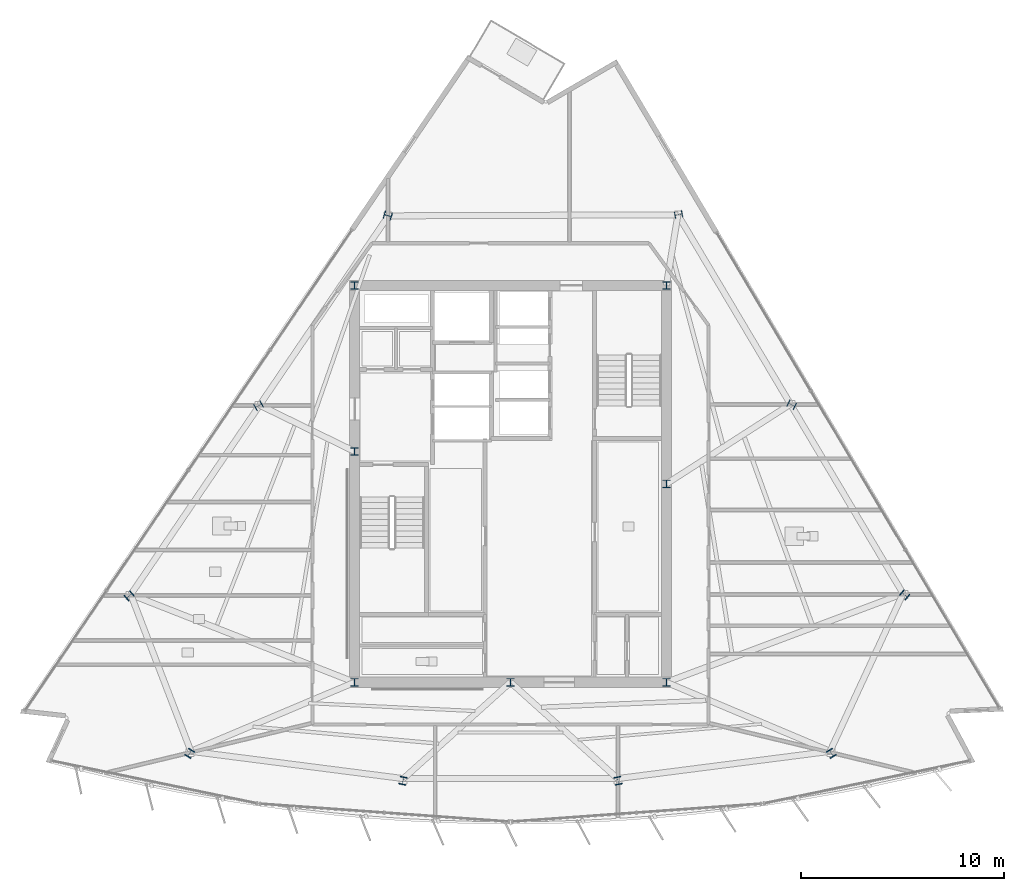
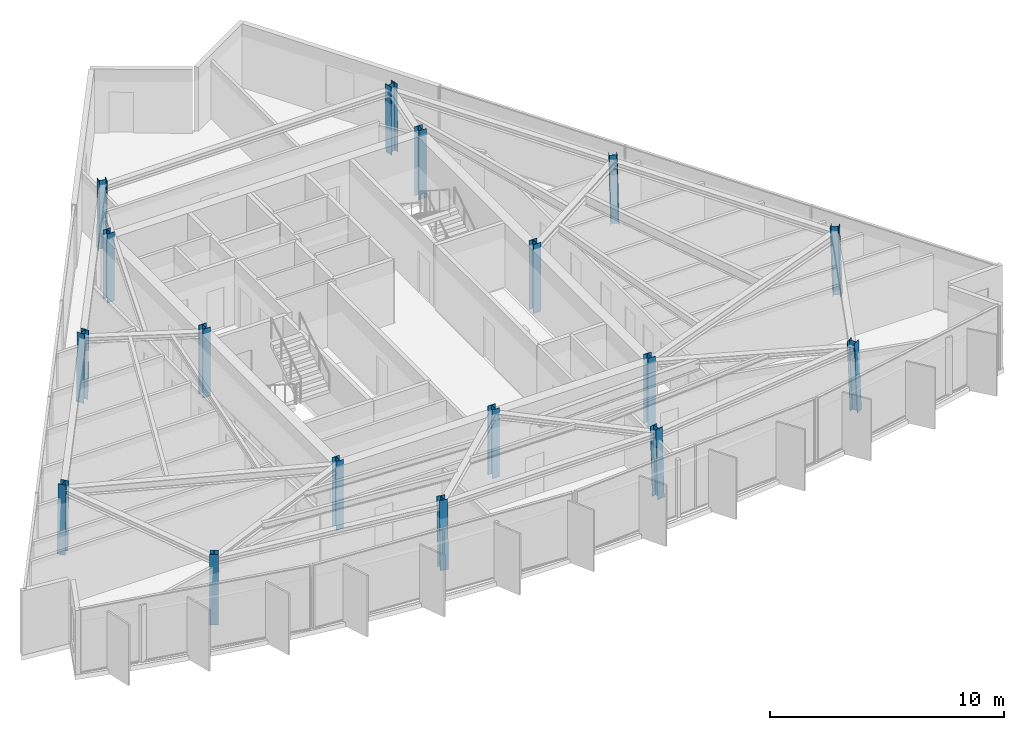
# One storey, part 1 of 13: 17 columns.
"""IFC4 building model written with IfcOpenShell, lengths in metres."""

from ifc_helpers import new_model, si_unit, direction, frame, origin, origin_2d, place, context, subcontext, project, spatial, i_section, extrude, material, material_profile, profile_set, type_object, element, save


model = new_model("IFC4")

# Units and contexts
model_context = context("Model", 3, precision=1e-05, world=origin(), true_north=direction((0.0, 1.0)))
body_context = subcontext(model_context, "Body", "Model", "MODEL_VIEW")
ifc_project = project(units=[si_unit("LENGTHUNIT", "METRE"), si_unit("AREAUNIT", "SQUARE_METRE"), si_unit("VOLUMEUNIT", "CUBIC_METRE"), si_unit("PLANEANGLEUNIT", "RADIAN"), si_unit("MASSUNIT", "GRAM", prefix="KILO")], contexts=[model_context])

# Site, building, storey
site_placement = place(None, origin())
site = spatial("IfcSite", under=ifc_project, at=site_placement, CompositionType="ELEMENT")
building_placement = place(site_placement, origin())
building = spatial("IfcBuilding", under=site, at=building_placement, Name="Savorim Split Tower", CompositionType="ELEMENT")
storey_placement = place(building_placement, frame((0.0, 0.0, 254.39990234375)))
storey = spatial("IfcBuildingStorey", under=building, at=storey_placement, Name="L67", CompositionType="ELEMENT", Elevation=254.39990234375)

# Columns
ifc_material = material(Name="Steel S355", Category="steel")
ifc_material_profile = material_profile(ifc_material, i_section(OverallWidth=0.3740234375, OverallDepth=0.3720703125, WebThickness=0.01220703125, FlangeThickness=0.02001953125, FilletRadius=0.014892578125, at=origin_2d()), Name="HD 360x196")
ifc_profile_set = profile_set([ifc_material_profile], Name="Steel S355")
column_type = type_object("IfcColumnType", Name="COL-HD-196", PredefinedType="COLUMN", material=ifc_profile_set)
for number, where, z_axis, x_axis, name in (
    (1, (-7.699951171875, -9.39990234375, 0.0), (0.0, 0.0, 1.0), (1.0, 0.0, 0.0), "L67 Core Structural Column TC-C1"),
    (2, (7.699951171875, -9.39990234375, 0.0), (0.0, 0.0, 1.0), (1.0, 0.0, 0.0), "L67 Core Structural Column TC-C2"),
    (3, (7.699951171875, 10.199951171875, 0.0), (0.0, 0.0, 1.0), (1.0, 0.0, 0.0), "L67 Core Structural Column TC-C3"),
    (4, (-7.699951171875, 10.199951171875, 0.0), (0.0, 0.0, 1.0), (1.0, 0.0, 0.0), "L67 Core Structural Column TC-C4"),
    (5, (0.0, -9.39990234375, 0.0), (0.0, 0.0, 1.0), (1.0, 0.0, 0.0), "L67 Core Structural Column TC-C5"),
    (6, (7.699951171875, 0.39990234375, 0.0), (0.0, 0.0, 1.0), (1.0, 0.0, 0.0), "L67 Core Structural Column TC-C6"),
    (7, (-7.699951171875, 2.0, 0.0), (0.0, 0.0, 1.0), (1.0, 0.0, 0.0), "L67 Core Structural Column TC-C7"),
):
    element("IfcColumn", number, at=place(storey_placement, frame(where, z_axis=z_axis, x_axis=x_axis)), inside=storey, type_object=column_type, Name=name, PredefinedType="COLUMN", context=body_context, shape_type="SweptSolid", body=[
        extrude(i_section(OverallWidth=0.3740234375, OverallDepth=0.3720703125, WebThickness=0.01220703125, FlangeThickness=0.02001953125, FilletRadius=0.014892578125, at=origin_2d()), origin(), (0.0, 0.0, 1.0), 3.60009765625),
    ])
column_1_placement = place(storey_placement, frame((-15.853515625, -12.928466796875, 0.005615234375), z_axis=(0.020596292833, 0.033511459955, 0.999226087917), x_axis=(-0.851954850327, 0.523615252838, 0.0)))
element("IfcColumn", 8, at=column_1_placement, inside=storey, type_object=column_type, Name="L67 Tapered Perimeter Column PC-S1", PredefinedType="COLUMN", context=body_context, shape_type="SweptSolid", body=[
    extrude(i_section(OverallWidth=0.3740234375, OverallDepth=0.3720703125, WebThickness=0.01220703125, FlangeThickness=0.02001953125, FilletRadius=0.014892578125, at=origin_2d()), origin(), (0.0, 0.0, 1.0), 3.591552734375),
])
for number, where, z_axis, x_axis, name in (
    (9, (-5.3134765625, -14.28173828125, 0.005615234375), (0.006934288159, 0.035283289748, 0.999353293441), (-0.981229659911, 0.192842823335, 0.0), "L67 Tapered Perimeter Column PC-S2"),
    (10, (5.3134765625, -14.28173828125, 0.005615234375), (-0.006934288159, 0.035283289748, 0.999353293441), (-0.981229659911, -0.192842823335, 0.0), "L67 Tapered Perimeter Column PC-S3"),
):
    element("IfcColumn", number, at=place(storey_placement, frame(where, z_axis=z_axis, x_axis=x_axis)), inside=storey, type_object=column_type, Name=name, PredefinedType="COLUMN", context=body_context, shape_type="SweptSolid", body=[
        extrude(i_section(OverallWidth=0.3740234375, OverallDepth=0.3720703125, WebThickness=0.01220703125, FlangeThickness=0.02001953125, FilletRadius=0.014892578125, at=origin_2d()), origin(), (0.0, 0.0, 1.0), 3.59130859375),
    ])
column_2_placement = place(storey_placement, frame((15.853515625, -12.928466796875, 0.005615234375), z_axis=(-0.020596292833, 0.033511459955, 0.999226087917), x_axis=(-0.851954850327, -0.523615252838, 0.0)))
element("IfcColumn", 11, at=column_2_placement, inside=storey, type_object=column_type, Name="L67 Tapered Perimeter Column PC-S4", PredefinedType="COLUMN", context=body_context, shape_type="SweptSolid", body=[
    extrude(i_section(OverallWidth=0.3740234375, OverallDepth=0.3720703125, WebThickness=0.01220703125, FlangeThickness=0.02001953125, FilletRadius=0.014892578125, at=origin_2d()), origin(), (0.0, 0.0, 1.0), 3.591552734375),
])
column_3_placement = place(storey_placement, frame((19.47900390625, -5.095947265625, 0.005615234375), z_axis=(-0.026107436898, 0.021620221181, 0.999425318758), x_axis=(-0.637813971185, -0.770190455771, 0.0)))
element("IfcColumn", 12, at=column_3_placement, inside=storey, type_object=column_type, Name="L67 Tapered Perimeter Column PC-E1", PredefinedType="COLUMN", context=body_context, shape_type="SweptSolid", body=[
    extrude(i_section(OverallWidth=0.3740234375, OverallDepth=0.3720703125, WebThickness=0.01220703125, FlangeThickness=0.02001953125, FilletRadius=0.014892578125, at=origin_2d()), origin(), (0.0, 0.0, 1.0), 3.5908203125),
])
column_4_placement = place(storey_placement, frame((13.893310546875, 4.298095703125, 0.005615234375), z_axis=(-0.01897531407, 0.009521662974, 0.999774612295), x_axis=(-0.44849454954, -0.893785566583, 0.0)))
element("IfcColumn", 13, at=column_4_placement, inside=storey, type_object=column_type, Name="L67 Tapered Perimeter Column PC-E2", PredefinedType="COLUMN", context=body_context, shape_type="SweptSolid", body=[
    extrude(i_section(OverallWidth=0.3740234375, OverallDepth=0.3720703125, WebThickness=0.01220703125, FlangeThickness=0.02001953125, FilletRadius=0.014892578125, at=origin_2d()), origin(), (0.0, 0.0, 1.0), 3.589599609375),
])
for number, where, z_axis, x_axis, name in (
    (14, (8.3076171875, 13.69189453125, 0.005615234375), (-0.011767853257, -0.00258484638, 0.999927415465), (0.214538664031, -0.976715496773, 0.0), "L67 Tapered Perimeter Column PC-E3"),
    (15, (-6.05859375, 13.64306640625, 0.005615234375), (0.008775143007, -0.002584925847, 0.999958156636), (0.282568886397, 0.959247009086, 0.0), "L67 Tapered Perimeter Column PC-W1"),
):
    element("IfcColumn", number, at=place(storey_placement, frame(where, z_axis=z_axis, x_axis=x_axis)), inside=storey, type_object=column_type, Name=name, PredefinedType="COLUMN", context=body_context, shape_type="SweptSolid", body=[
        extrude(i_section(OverallWidth=0.3740234375, OverallDepth=0.3720703125, WebThickness=0.01220703125, FlangeThickness=0.02001953125, FilletRadius=0.014892578125, at=origin_2d()), origin(), (0.0, 0.0, 1.0), 3.589111328125),
    ])
column_5_placement = place(storey_placement, frame((-12.44921875, 4.2490234375, 0.005615234375), z_axis=(0.017071556321, 0.009589997774, 0.999808278575), x_axis=(-0.489766415861, 0.871853690647, 0.0)))
element("IfcColumn", 16, at=column_5_placement, inside=storey, type_object=column_type, Name="L67 Tapered Perimeter Column PC-W2", PredefinedType="COLUMN", context=body_context, shape_type="SweptSolid", body=[
    extrude(i_section(OverallWidth=0.3740234375, OverallDepth=0.3720703125, WebThickness=0.01220703125, FlangeThickness=0.02001953125, FilletRadius=0.014892578125, at=origin_2d()), origin(), (0.0, 0.0, 1.0), 3.589599609375),
])
column_6_placement = place(storey_placement, frame((-18.839599609375, -5.144775390625, 0.005615234375), z_axis=(0.025224163578, 0.021620711639, 0.999447990843), x_axis=(-0.650791373456, 0.759256602365, 0.0)))
element("IfcColumn", 17, at=column_6_placement, inside=storey, type_object=column_type, Name="L67 Tapered Perimeter Column PC-W3", PredefinedType="COLUMN", context=body_context, shape_type="SweptSolid", body=[
    extrude(i_section(OverallWidth=0.3740234375, OverallDepth=0.3720703125, WebThickness=0.01220703125, FlangeThickness=0.02001953125, FilletRadius=0.014892578125, at=origin_2d()), origin(), (0.0, 0.0, 1.0), 3.5908203125),
])

save(model, "model.ifc")
